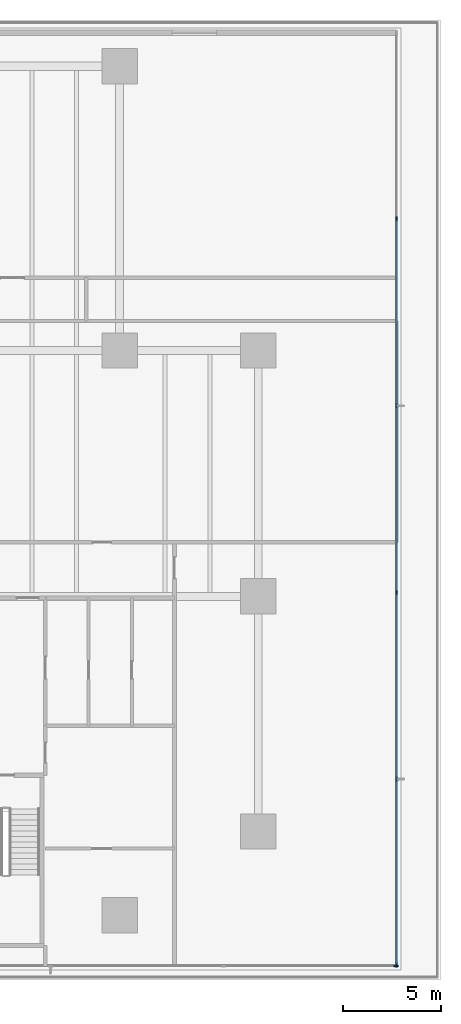
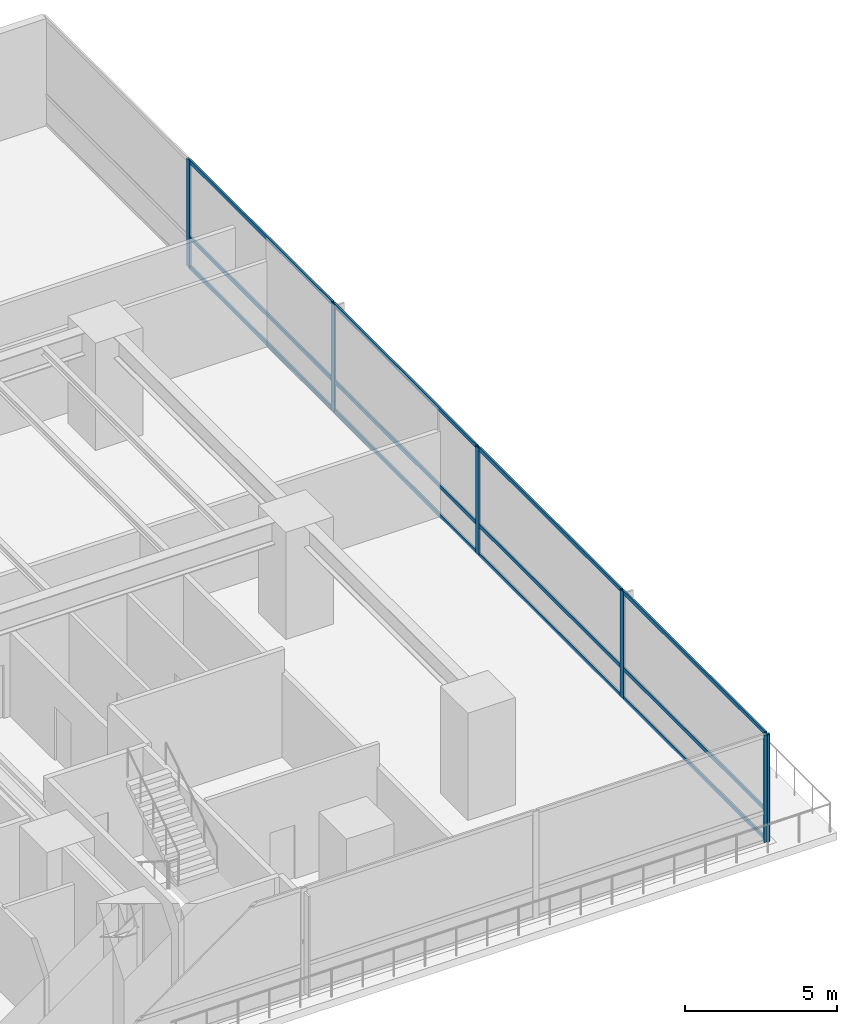
# One storey, part 7 of 26: 18 members, 2 elements without a shape of their own.
"""IFC4 building model written with IfcOpenShell, lengths in metres."""

import ifcopenshell
import ifcopenshell.guid

model = None  # the IFC model being written
_history = None  # IfcOwnerHistory: only IFC2X3 demands one
_inside = {}  # id of a spatial element -> (the spatial element, [elements in it])
_under = {}  # id of a project, library or spatial element -> (it, [spatial elements below it])
_declared = {}  # id of a project -> (the project, [libraries it declares])
_typed = {}  # id of a type object -> (the type object, [elements of that type])
_made_of = {}  # id of a material, layer set ... -> (it, [elements and type objects made of it])


def new_model(schema):
    """Start an empty IFC model of exactly this schema.

    Asked for "IFC4X3", IfcOpenShell would pick the latest addendum, in which some entities
    have other attributes; the version numbers below select the first issue.
    IFC2X3 requires an IfcOwnerHistory on every rooted entity: one is made here for all.
    """
    global model, _history
    if schema == "IFC4X3":
        model = ifcopenshell.file(schema_version=(4, 3, 0, 0))
    else:
        model = ifcopenshell.file(schema=schema)
    _inside.clear()
    _under.clear()
    _declared.clear()
    _typed.clear()
    _made_of.clear()
    _history = None
    if model.schema == "IFC2X3":
        org = make("IfcOrganization", Name="unknown")
        user = make(
            "IfcPersonAndOrganization",
            ThePerson=make("IfcPerson", FamilyName="unknown"),
            TheOrganization=org,
        )
        app = make(
            "IfcApplication",
            ApplicationDeveloper=org,
            Version="unknown",
            ApplicationFullName="unknown",
            ApplicationIdentifier="unknown",
        )
        _history = make(
            "IfcOwnerHistory",
            OwningUser=user,
            OwningApplication=app,
            ChangeAction="ADDED",
            CreationDate=0,
        )
    return model


def make(cls, **values):
    """One entity of the class cls with the attributes given. An attribute that is None is left unset."""
    return model.create_entity(
        cls, **{name: value for name, value in values.items() if value is not None}
    )


def rooted(cls, **values):
    """An entity with a GlobalId (a new one), such as an element, a storey or a relation."""
    return make(cls, GlobalId=ifcopenshell.guid.new(), OwnerHistory=_history, **values)


def si_unit(unit_type, name, prefix=None):
    """IfcSIUnit, for example si_unit("LENGTHUNIT", "METRE", prefix="MILLI")."""
    return make("IfcSIUnit", UnitType=unit_type, Prefix=prefix, Name=name)


def assignment(units):
    """IfcUnitAssignment: the units of a project."""
    return None if units is None else make("IfcUnitAssignment", Units=units)


def point(xyz):
    """IfcCartesianPoint."""
    return None if xyz is None else make("IfcCartesianPoint", Coordinates=xyz)


def direction(xyz):
    """IfcDirection."""
    return None if xyz is None else make("IfcDirection", DirectionRatios=xyz)


def frame(location, z_axis=None, x_axis=None):
    """IfcAxis2Placement3D, a coordinate frame: its origin and axes. An axis left out is left unset."""
    return make(
        "IfcAxis2Placement3D",
        Location=point(location),
        Axis=direction(z_axis),
        RefDirection=direction(x_axis),
    )


def frame_2d(location, x_axis=None):
    """IfcAxis2Placement2D, a coordinate frame in the plane: its origin and x axis."""
    return make(
        "IfcAxis2Placement2D", Location=point(location), RefDirection=direction(x_axis)
    )


def origin():
    """The frame at (0, 0, 0) with its axes left unset."""
    return frame((0.0, 0.0, 0.0))


def origin_2d():
    """The frame at (0, 0) in the plane with its x axis left unset."""
    return frame_2d((0.0, 0.0))


def place(relative_to, where):
    """IfcLocalPlacement: puts the frame where relative to a parent placement (None: the world)."""
    return make(
        "IfcLocalPlacement", PlacementRelTo=relative_to, RelativePlacement=where
    )


def context(
    kind, dimensions, precision=None, world=None, true_north=None, identifier=None
):
    """IfcGeometricRepresentationContext, for example the 3D "Model" context."""
    return make(
        "IfcGeometricRepresentationContext",
        ContextIdentifier=identifier,
        ContextType=kind,
        CoordinateSpaceDimension=dimensions,
        Precision=precision,
        WorldCoordinateSystem=world,
        TrueNorth=true_north,
    )


def subcontext(parent, identifier, kind, view, scale=None):
    """IfcGeometricRepresentationSubContext, for example "Body" below "Model"."""
    return make(
        "IfcGeometricRepresentationSubContext",
        ContextIdentifier=identifier,
        ContextType=kind,
        ParentContext=parent,
        TargetScale=scale,
        TargetView=view,
    )


def project(units=None, contexts=None):
    """IfcProject with its units and contexts."""
    return rooted(
        "IfcProject",
        Name="project",
        RepresentationContexts=contexts,
        UnitsInContext=assignment(units),
    )


def spatial(cls, under=None, at=None, **own):
    """A site, building, storey or space (cls), placed at a placement, below another one or the project."""
    s = rooted(cls, ObjectPlacement=at, **own)
    if under is not None:
        _under.setdefault(under.id(), (under, []))[1].append(s)
    return s


def profile(cls, at=None, kind="AREA", **sizes):
    """A parametric profile (cls). Its sizes go by their IFC names, for example OverallWidth=200.0."""
    return make(cls, ProfileType=kind, Position=at, **sizes)


def rectangle(**sizes):
    """IfcRectangleProfileDef."""
    return profile("IfcRectangleProfileDef", **sizes)


def extrude(swept, where, along, depth):
    """IfcExtrudedAreaSolid: the profile swept, set in the frame where, extruded along a direction by depth."""
    return make(
        "IfcExtrudedAreaSolid",
        SweptArea=swept,
        Position=where,
        ExtrudedDirection=direction(along),
        Depth=depth,
    )


def shape(context_of_items, identifier, shape_type, items):
    """IfcShapeRepresentation: the items that make up one representation, for example the "Body"."""
    return make(
        "IfcShapeRepresentation",
        ContextOfItems=context_of_items,
        RepresentationIdentifier=identifier,
        RepresentationType=shape_type,
        Items=items,
    )


def material(Name=None, Category=None):
    """IfcMaterial."""
    return make("IfcMaterial", Name=Name, Category=Category)


def layer(
    of_material, thickness, ventilated=None, Name=None, Category=None, Priority=None
):
    """IfcMaterialLayer: one layer of a wall or slab, of a material (None: an air gap)."""
    return make(
        "IfcMaterialLayer",
        Material=of_material,
        LayerThickness=thickness,
        IsVentilated=ventilated,
        Name=Name,
        Category=Category,
        Priority=Priority,
    )


def layer_set(layers, Name=None):
    """IfcMaterialLayerSet."""
    return make("IfcMaterialLayerSet", MaterialLayers=layers, LayerSetName=Name)


def material_profile(
    of_material, cross_section, Name=None, Category=None, Priority=None
):
    """IfcMaterialProfile: a cross section and its material."""
    return make(
        "IfcMaterialProfile",
        Name=Name,
        Material=of_material,
        Profile=cross_section,
        Priority=Priority,
        Category=Category,
    )


def profile_set(profiles, Name=None, composite=None):
    """IfcMaterialProfileSet."""
    return make(
        "IfcMaterialProfileSet",
        Name=Name,
        MaterialProfiles=profiles,
        CompositeProfile=composite,
    )


def made_of(thing, what):
    """Note that an element or type object is made of a material, layer set ...; save() writes the relation."""
    if what is not None:
        _made_of.setdefault(what.id(), (what, []))[1].append(thing)
    return thing


def type_object(cls, material=None, **own):
    """A type object (cls), such as IfcWallType, which elements share."""
    return made_of(rooted(cls, **own), material)


def element(
    cls,
    number,
    at=None,
    inside=None,
    cuts=None,
    type_object=None,
    material=None,
    context=None,
    identifier="Body",
    shape_type=None,
    held_by="IfcProductDefinitionShape",
    body=None,
    shapes=None,
    **own,
):
    """One element of the class cls, such as IfcWall. Its Tag is "e" and its number.

    at: its placement. inside: the storey or other place that contains it. cuts: it is an
    opening in that element (IfcRelVoidsElement). A single representation is given by context,
    identifier, shape_type and body (its items); several are given by shapes. held_by: the class
    of the entity that holds the representations. save() writes the other relations.
    """
    e = rooted(cls, Tag="e%d" % number, ObjectPlacement=at, **own)
    if body is not None:
        shapes = [shape(context, identifier, shape_type, body)]
    if shapes is not None:
        e.Representation = make(held_by, Representations=shapes)
    if inside is not None:
        _inside.setdefault(inside.id(), (inside, []))[1].append(e)
    if cuts is not None:
        rooted(
            "IfcRelVoidsElement", RelatingBuildingElement=cuts, RelatedOpeningElement=e
        )
    if type_object is not None:
        _typed.setdefault(type_object.id(), (type_object, []))[1].append(e)
    return made_of(e, material)


def aggregate(whole, parts):
    """IfcRelAggregates: a whole, such as a stair, and the parts it consists of."""
    return rooted("IfcRelAggregates", RelatingObject=whole, RelatedObjects=parts)


def save(model, path):
    """Write the relations noted so far, then the file.

    IfcRelAggregates (storeys below a building ...), IfcRelContainedInSpatialStructure (elements
    in a storey), IfcRelDefinesByType, IfcRelAssociatesMaterial and IfcRelDeclares: one each for
    every whole, place, type object, material and project.
    """
    for whole, parts in _under.values():
        aggregate(whole, parts)
    for where, things in _inside.values():
        rooted(
            "IfcRelContainedInSpatialStructure",
            RelatedElements=things,
            RelatingStructure=where,
        )
    for kind, things in _typed.values():
        rooted("IfcRelDefinesByType", RelatedObjects=things, RelatingType=kind)
    for what, things in _made_of.values():
        rooted("IfcRelAssociatesMaterial", RelatedObjects=things, RelatingMaterial=what)
    for by, libraries in _declared.values():
        rooted("IfcRelDeclares", RelatingContext=by, RelatedDefinitions=libraries)
    model.write(path)


model = new_model("IFC4")

# Units and contexts
model_context = context("Model", 3, precision=1e-05, world=origin(), true_north=direction((0.0, 1.0)))
body_context = subcontext(model_context, "Body", "Model", "MODEL_VIEW")
ifc_project = project(units=[si_unit("LENGTHUNIT", "METRE"), si_unit("AREAUNIT", "SQUARE_METRE"), si_unit("VOLUMEUNIT", "CUBIC_METRE"), si_unit("PLANEANGLEUNIT", "RADIAN"), si_unit("MASSUNIT", "GRAM", prefix="KILO")], contexts=[model_context])

# Site, building, storey
site_placement = place(None, origin())
site = spatial("IfcSite", under=ifc_project, at=site_placement, CompositionType="ELEMENT")
building_placement = place(site_placement, origin())
building = spatial("IfcBuilding", under=site, at=building_placement, Name="Qalmaran Belvedere Hotel", CompositionType="ELEMENT")
storey_placement = place(building_placement, frame((0.0, 0.0, 19.199951171875)))
storey = spatial("IfcBuildingStorey", under=building, at=storey_placement, Name="L04", CompositionType="ELEMENT", Elevation=19.199951171875)

# Curtain wall, member
ifc_material = material(Name="Anodised Bronze Aluminium", Category="aluminium")
ifc_layer = layer(ifc_material, 0.219970703125, Name="Anodised Bronze Aluminium")
ifc_layer_set = layer_set([ifc_layer], Name="Anodised Bronze Aluminium")
curtain_wall_type = type_object("IfcCurtainWallType", Name="CW1-PODIUM-BRONZE", PredefinedType="NOTDEFINED", material=ifc_layer_set)
curtain_wall_1_placement = place(storey_placement, origin())
curtain_wall_1 = element("IfcCurtainWall", 1, at=curtain_wall_1_placement, inside=storey, type_object=curtain_wall_type, Name="L04 Curtain Wall CW1", PredefinedType="NOTDEFINED")
ifc_material_profile_1 = material_profile(ifc_material, rectangle(XDim=0.074951171875, YDim=0.219970703125, at=origin_2d()), Name="CWM75X220")
ifc_profile_set_1 = profile_set([ifc_material_profile_1], Name="Anodised Bronze Aluminium")
member_type_1 = type_object("IfcMemberType", Name="CWM-75X220", PredefinedType="MULLION", material=ifc_profile_set_1)
member_1_placement = place(storey_placement, frame((67.742431640625, 1.719970703125, 0.0), z_axis=(0.0, 0.0, 1.0), x_axis=(0.0, 1.0, 0.0)))
member_1 = element("IfcMember", 2, at=member_1_placement, type_object=member_type_1, Name="CW1 mullion 8", PredefinedType="MULLION", context=body_context, shape_type="SweptSolid", body=[
    extrude(rectangle(XDim=0.074951171875, YDim=0.219970703125, at=origin_2d()), origin(), (0.0, 0.0, 1.0), 4.300048828125),
])
aggregate(curtain_wall_1, [member_1])

# Curtain wall, members
curtain_wall_2_placement = place(storey_placement, origin())
curtain_wall_2 = element("IfcCurtainWall", 3, at=curtain_wall_2_placement, inside=storey, type_object=curtain_wall_type, Name="L04 Curtain Wall CW1", PredefinedType="NOTDEFINED")
member_2_placement = place(storey_placement, frame((67.780029296875, 1.757568359375, 0.0), z_axis=(0.0, 0.0, 1.0), x_axis=(-1.0, 0.0, 0.0)))
member_2 = element("IfcMember", 4, at=member_2_placement, type_object=member_type_1, Name="CW1 mullion 1", PredefinedType="MULLION", context=body_context, shape_type="SweptSolid", body=[
    extrude(rectangle(XDim=0.074951171875, YDim=0.219970703125, at=origin_2d()), origin(), (0.0, 0.0, 1.0), 4.300048828125),
])
member_3_placement = place(storey_placement, frame((67.780029296875, 11.2119140625, 0.0), z_axis=(0.0, 0.0, 1.0), x_axis=(-1.0, 0.0, 0.0)))
member_3 = element("IfcMember", 5, at=member_3_placement, type_object=member_type_1, Name="CW1 mullion 2", PredefinedType="MULLION", context=body_context, shape_type="SweptSolid", body=[
    extrude(rectangle(XDim=0.074951171875, YDim=0.219970703125, at=origin_2d()), origin(), (0.0, 0.0, 1.0), 4.300048828125),
])
member_4_placement = place(storey_placement, frame((67.780029296875, 20.7041015625, 0.0), z_axis=(0.0, 0.0, 1.0), x_axis=(-1.0, 0.0, 0.0)))
member_4 = element("IfcMember", 6, at=member_4_placement, type_object=member_type_1, Name="CW1 mullion 3", PredefinedType="MULLION", context=body_context, shape_type="SweptSolid", body=[
    extrude(rectangle(XDim=0.074951171875, YDim=0.219970703125, at=origin_2d()), origin(), (0.0, 0.0, 1.0), 4.300048828125),
])
member_5_placement = place(storey_placement, frame((67.780029296875, 30.196044921875, 0.0), z_axis=(0.0, 0.0, 1.0), x_axis=(-1.0, 0.0, 0.0)))
member_5 = element("IfcMember", 7, at=member_5_placement, type_object=member_type_1, Name="CW1 mullion 4", PredefinedType="MULLION", context=body_context, shape_type="SweptSolid", body=[
    extrude(rectangle(XDim=0.074951171875, YDim=0.219970703125, at=origin_2d()), origin(), (0.0, 0.0, 1.0), 4.300048828125),
])
member_6_placement = place(storey_placement, frame((67.780029296875, 39.68798828125, 0.0), z_axis=(0.0, 0.0, 1.0), x_axis=(-1.0, 0.0, 0.0)))
member_6 = element("IfcMember", 8, at=member_6_placement, type_object=member_type_1, Name="CW1 mullion 5", PredefinedType="MULLION", context=body_context, shape_type="SweptSolid", body=[
    extrude(rectangle(XDim=0.074951171875, YDim=0.219970703125, at=origin_2d()), origin(), (0.0, 0.0, 1.0), 4.300048828125),
])
ifc_material_profile_2 = material_profile(ifc_material, rectangle(XDim=0.070068359375, YDim=0.14990234375, at=origin_2d()), Name="CWT70X150")
ifc_profile_set_2 = profile_set([ifc_material_profile_2], Name="Anodised Bronze Aluminium")
member_type_2 = type_object("IfcMemberType", Name="CWT-70X150", PredefinedType="USERDEFINED", material=ifc_profile_set_2)
member_7_placement = place(storey_placement, frame((67.780029296875, 1.794921875, 0.03515625), z_axis=(0.0, 1.0, 0.0), x_axis=(-1.0, 0.0, 0.0)))
member_7 = element("IfcMember", 9, at=member_7_placement, type_object=member_type_2, Name="CW1 transom 1.1", ObjectType="TRANSOM", PredefinedType="USERDEFINED", context=body_context, shape_type="SweptSolid", body=[
    extrude(rectangle(XDim=0.070068359375, YDim=0.14990234375, at=origin_2d()), origin(), (0.0, 0.0, 1.0), 9.379638671875),
])
member_8_placement = place(storey_placement, frame((67.780029296875, 1.794921875, 1.2041015625), z_axis=(0.0, 1.0, 0.0), x_axis=(-1.0, 0.0, 0.0)))
member_8 = element("IfcMember", 10, at=member_8_placement, type_object=member_type_2, Name="CW1 transom 1.2", ObjectType="TRANSOM", PredefinedType="USERDEFINED", context=body_context, shape_type="SweptSolid", body=[
    extrude(rectangle(XDim=0.070068359375, YDim=0.14990234375, at=origin_2d()), origin(), (0.0, 0.0, 1.0), 9.379638671875),
])
member_9_placement = place(storey_placement, frame((67.780029296875, 1.794921875, 4.26513671875), z_axis=(0.0, 1.0, 0.0), x_axis=(-1.0, 0.0, 0.0)))
member_9 = element("IfcMember", 11, at=member_9_placement, type_object=member_type_2, Name="CW1 transom 1.3", ObjectType="TRANSOM", PredefinedType="USERDEFINED", context=body_context, shape_type="SweptSolid", body=[
    extrude(rectangle(XDim=0.070068359375, YDim=0.14990234375, at=origin_2d()), origin(), (0.0, 0.0, 1.0), 9.379638671875),
])
member_10_placement = place(storey_placement, frame((67.780029296875, 11.24951171875, 0.03515625), z_axis=(0.0, 1.0, 0.0), x_axis=(-1.0, 0.0, 0.0)))
member_10 = element("IfcMember", 12, at=member_10_placement, type_object=member_type_2, Name="CW1 transom 2.1", ObjectType="TRANSOM", PredefinedType="USERDEFINED", context=body_context, shape_type="SweptSolid", body=[
    extrude(rectangle(XDim=0.070068359375, YDim=0.14990234375, at=origin_2d()), origin(), (0.0, 0.0, 1.0), 9.4169921875),
])
member_11_placement = place(storey_placement, frame((67.780029296875, 11.24951171875, 1.2041015625), z_axis=(0.0, 1.0, 0.0), x_axis=(-1.0, 0.0, 0.0)))
member_11 = element("IfcMember", 13, at=member_11_placement, type_object=member_type_2, Name="CW1 transom 2.2", ObjectType="TRANSOM", PredefinedType="USERDEFINED", context=body_context, shape_type="SweptSolid", body=[
    extrude(rectangle(XDim=0.070068359375, YDim=0.14990234375, at=origin_2d()), origin(), (0.0, 0.0, 1.0), 9.4169921875),
])
member_12_placement = place(storey_placement, frame((67.780029296875, 11.24951171875, 4.26513671875), z_axis=(0.0, 1.0, 0.0), x_axis=(-1.0, 0.0, 0.0)))
member_12 = element("IfcMember", 14, at=member_12_placement, type_object=member_type_2, Name="CW1 transom 2.3", ObjectType="TRANSOM", PredefinedType="USERDEFINED", context=body_context, shape_type="SweptSolid", body=[
    extrude(rectangle(XDim=0.070068359375, YDim=0.14990234375, at=origin_2d()), origin(), (0.0, 0.0, 1.0), 9.4169921875),
])
member_13_placement = place(storey_placement, frame((67.780029296875, 20.741455078125, 0.03515625), z_axis=(0.0, 1.0, 0.0), x_axis=(-1.0, 0.0, 0.0)))
member_13 = element("IfcMember", 15, at=member_13_placement, type_object=member_type_2, Name="CW1 transom 3.1", ObjectType="TRANSOM", PredefinedType="USERDEFINED", context=body_context, shape_type="SweptSolid", body=[
    extrude(rectangle(XDim=0.070068359375, YDim=0.14990234375, at=origin_2d()), origin(), (0.0, 0.0, 1.0), 9.4169921875),
])
member_14_placement = place(storey_placement, frame((67.780029296875, 20.741455078125, 1.2041015625), z_axis=(0.0, 1.0, 0.0), x_axis=(-1.0, 0.0, 0.0)))
member_14 = element("IfcMember", 16, at=member_14_placement, type_object=member_type_2, Name="CW1 transom 3.2", ObjectType="TRANSOM", PredefinedType="USERDEFINED", context=body_context, shape_type="SweptSolid", body=[
    extrude(rectangle(XDim=0.070068359375, YDim=0.14990234375, at=origin_2d()), origin(), (0.0, 0.0, 1.0), 9.4169921875),
])
member_15_placement = place(storey_placement, frame((67.780029296875, 20.741455078125, 4.26513671875), z_axis=(0.0, 1.0, 0.0), x_axis=(-1.0, 0.0, 0.0)))
member_15 = element("IfcMember", 17, at=member_15_placement, type_object=member_type_2, Name="CW1 transom 3.3", ObjectType="TRANSOM", PredefinedType="USERDEFINED", context=body_context, shape_type="SweptSolid", body=[
    extrude(rectangle(XDim=0.070068359375, YDim=0.14990234375, at=origin_2d()), origin(), (0.0, 0.0, 1.0), 9.4169921875),
])
member_16_placement = place(storey_placement, frame((67.780029296875, 30.2333984375, 0.03515625), z_axis=(0.0, 1.0, 0.0), x_axis=(-1.0, 0.0, 0.0)))
member_16 = element("IfcMember", 18, at=member_16_placement, type_object=member_type_2, Name="CW1 transom 4.1", ObjectType="TRANSOM", PredefinedType="USERDEFINED", context=body_context, shape_type="SweptSolid", body=[
    extrude(rectangle(XDim=0.070068359375, YDim=0.14990234375, at=origin_2d()), origin(), (0.0, 0.0, 1.0), 9.4169921875),
])
member_17_placement = place(storey_placement, frame((67.780029296875, 30.2333984375, 1.2041015625), z_axis=(0.0, 1.0, 0.0), x_axis=(-1.0, 0.0, 0.0)))
member_17 = element("IfcMember", 19, at=member_17_placement, type_object=member_type_2, Name="CW1 transom 4.2", ObjectType="TRANSOM", PredefinedType="USERDEFINED", context=body_context, shape_type="SweptSolid", body=[
    extrude(rectangle(XDim=0.070068359375, YDim=0.14990234375, at=origin_2d()), origin(), (0.0, 0.0, 1.0), 9.4169921875),
])
member_18_placement = place(storey_placement, frame((67.780029296875, 30.2333984375, 4.26513671875), z_axis=(0.0, 1.0, 0.0), x_axis=(-1.0, 0.0, 0.0)))
member_18 = element("IfcMember", 20, at=member_18_placement, type_object=member_type_2, Name="CW1 transom 4.3", ObjectType="TRANSOM", PredefinedType="USERDEFINED", context=body_context, shape_type="SweptSolid", body=[
    extrude(rectangle(XDim=0.070068359375, YDim=0.14990234375, at=origin_2d()), origin(), (0.0, 0.0, 1.0), 9.4169921875),
])
aggregate(curtain_wall_2, [member_2, member_3, member_4, member_5, member_6, member_7, member_8, member_9, member_10, member_11, member_12, member_13, member_14, member_15, member_16, member_17, member_18])

save(model, "model.ifc")
